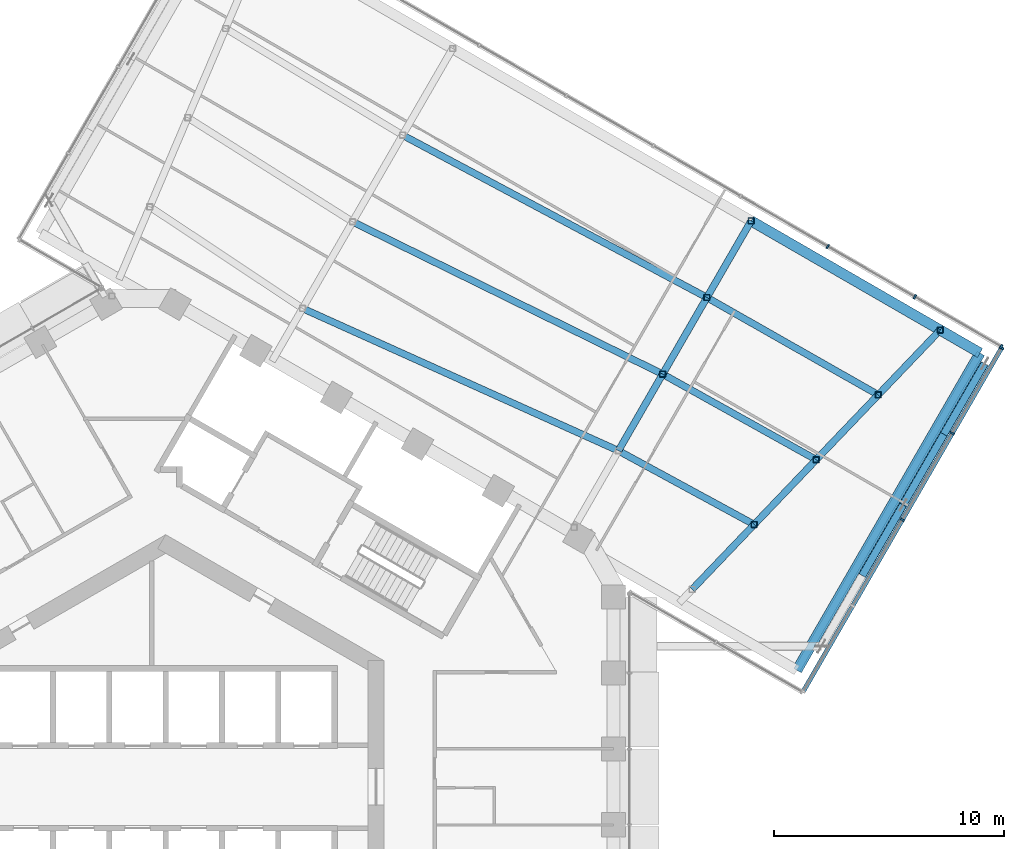
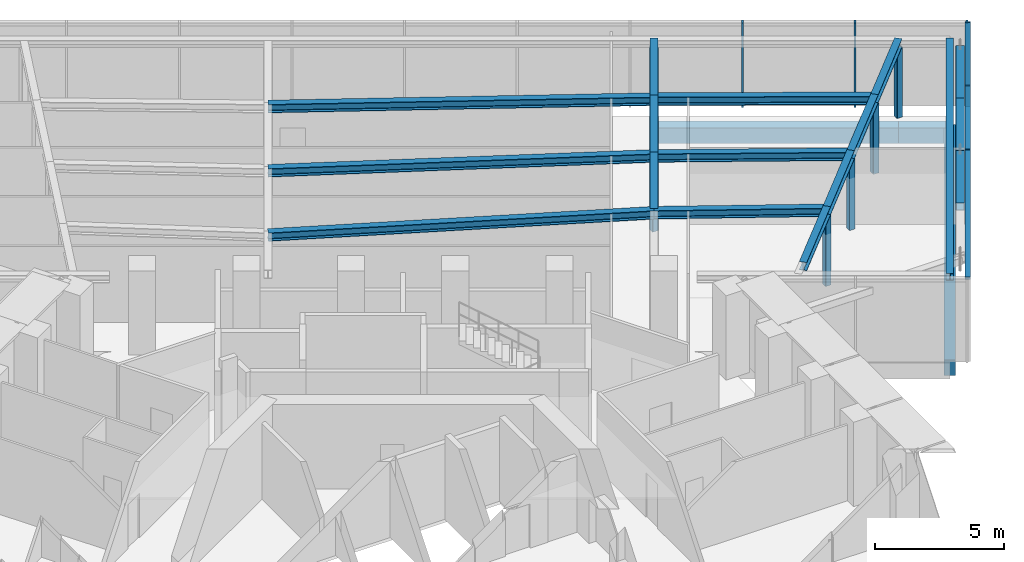
# One storey, part 7 of 28: 17 beams, 17 members, 2 elements without a shape of their own.
"""IFC4 building model written with IfcOpenShell, lengths in metres."""

import ifcopenshell
import ifcopenshell.guid

model = None  # the IFC model being written
_history = None  # IfcOwnerHistory: only IFC2X3 demands one
_inside = {}  # id of a spatial element -> (the spatial element, [elements in it])
_under = {}  # id of a project, library or spatial element -> (it, [spatial elements below it])
_declared = {}  # id of a project -> (the project, [libraries it declares])
_typed = {}  # id of a type object -> (the type object, [elements of that type])
_made_of = {}  # id of a material, layer set ... -> (it, [elements and type objects made of it])


def new_model(schema):
    """Start an empty IFC model of exactly this schema.

    Asked for "IFC4X3", IfcOpenShell would pick the latest addendum, in which some entities
    have other attributes; the version numbers below select the first issue.
    IFC2X3 requires an IfcOwnerHistory on every rooted entity: one is made here for all.
    """
    global model, _history
    if schema == "IFC4X3":
        model = ifcopenshell.file(schema_version=(4, 3, 0, 0))
    else:
        model = ifcopenshell.file(schema=schema)
    _inside.clear()
    _under.clear()
    _declared.clear()
    _typed.clear()
    _made_of.clear()
    _history = None
    if model.schema == "IFC2X3":
        org = make("IfcOrganization", Name="unknown")
        user = make(
            "IfcPersonAndOrganization",
            ThePerson=make("IfcPerson", FamilyName="unknown"),
            TheOrganization=org,
        )
        app = make(
            "IfcApplication",
            ApplicationDeveloper=org,
            Version="unknown",
            ApplicationFullName="unknown",
            ApplicationIdentifier="unknown",
        )
        _history = make(
            "IfcOwnerHistory",
            OwningUser=user,
            OwningApplication=app,
            ChangeAction="ADDED",
            CreationDate=0,
        )
    return model


def make(cls, **values):
    """One entity of the class cls with the attributes given. An attribute that is None is left unset."""
    return model.create_entity(
        cls, **{name: value for name, value in values.items() if value is not None}
    )


def rooted(cls, **values):
    """An entity with a GlobalId (a new one), such as an element, a storey or a relation."""
    return make(cls, GlobalId=ifcopenshell.guid.new(), OwnerHistory=_history, **values)


def si_unit(unit_type, name, prefix=None):
    """IfcSIUnit, for example si_unit("LENGTHUNIT", "METRE", prefix="MILLI")."""
    return make("IfcSIUnit", UnitType=unit_type, Prefix=prefix, Name=name)


def assignment(units):
    """IfcUnitAssignment: the units of a project."""
    return None if units is None else make("IfcUnitAssignment", Units=units)


def point(xyz):
    """IfcCartesianPoint."""
    return None if xyz is None else make("IfcCartesianPoint", Coordinates=xyz)


def direction(xyz):
    """IfcDirection."""
    return None if xyz is None else make("IfcDirection", DirectionRatios=xyz)


def frame(location, z_axis=None, x_axis=None):
    """IfcAxis2Placement3D, a coordinate frame: its origin and axes. An axis left out is left unset."""
    return make(
        "IfcAxis2Placement3D",
        Location=point(location),
        Axis=direction(z_axis),
        RefDirection=direction(x_axis),
    )


def frame_2d(location, x_axis=None):
    """IfcAxis2Placement2D, a coordinate frame in the plane: its origin and x axis."""
    return make(
        "IfcAxis2Placement2D", Location=point(location), RefDirection=direction(x_axis)
    )


def origin():
    """The frame at (0, 0, 0) with its axes left unset."""
    return frame((0.0, 0.0, 0.0))


def origin_2d():
    """The frame at (0, 0) in the plane with its x axis left unset."""
    return frame_2d((0.0, 0.0))


def place(relative_to, where):
    """IfcLocalPlacement: puts the frame where relative to a parent placement (None: the world)."""
    return make(
        "IfcLocalPlacement", PlacementRelTo=relative_to, RelativePlacement=where
    )


def context(
    kind, dimensions, precision=None, world=None, true_north=None, identifier=None
):
    """IfcGeometricRepresentationContext, for example the 3D "Model" context."""
    return make(
        "IfcGeometricRepresentationContext",
        ContextIdentifier=identifier,
        ContextType=kind,
        CoordinateSpaceDimension=dimensions,
        Precision=precision,
        WorldCoordinateSystem=world,
        TrueNorth=true_north,
    )


def subcontext(parent, identifier, kind, view, scale=None):
    """IfcGeometricRepresentationSubContext, for example "Body" below "Model"."""
    return make(
        "IfcGeometricRepresentationSubContext",
        ContextIdentifier=identifier,
        ContextType=kind,
        ParentContext=parent,
        TargetScale=scale,
        TargetView=view,
    )


def project(units=None, contexts=None):
    """IfcProject with its units and contexts."""
    return rooted(
        "IfcProject",
        Name="project",
        RepresentationContexts=contexts,
        UnitsInContext=assignment(units),
    )


def spatial(cls, under=None, at=None, **own):
    """A site, building, storey or space (cls), placed at a placement, below another one or the project."""
    s = rooted(cls, ObjectPlacement=at, **own)
    if under is not None:
        _under.setdefault(under.id(), (under, []))[1].append(s)
    return s


def profile(cls, at=None, kind="AREA", **sizes):
    """A parametric profile (cls). Its sizes go by their IFC names, for example OverallWidth=200.0."""
    return make(cls, ProfileType=kind, Position=at, **sizes)


def rectangle(**sizes):
    """IfcRectangleProfileDef."""
    return profile("IfcRectangleProfileDef", **sizes)


def hollow_rectangle(**sizes):
    """IfcRectangleHollowProfileDef."""
    return profile("IfcRectangleHollowProfileDef", **sizes)


def i_section(**sizes):
    """IfcIShapeProfileDef."""
    return profile("IfcIShapeProfileDef", **sizes)


def extrude(swept, where, along, depth):
    """IfcExtrudedAreaSolid: the profile swept, set in the frame where, extruded along a direction by depth."""
    return make(
        "IfcExtrudedAreaSolid",
        SweptArea=swept,
        Position=where,
        ExtrudedDirection=direction(along),
        Depth=depth,
    )


def shape(context_of_items, identifier, shape_type, items):
    """IfcShapeRepresentation: the items that make up one representation, for example the "Body"."""
    return make(
        "IfcShapeRepresentation",
        ContextOfItems=context_of_items,
        RepresentationIdentifier=identifier,
        RepresentationType=shape_type,
        Items=items,
    )


def material(Name=None, Category=None):
    """IfcMaterial."""
    return make("IfcMaterial", Name=Name, Category=Category)


def layer(
    of_material, thickness, ventilated=None, Name=None, Category=None, Priority=None
):
    """IfcMaterialLayer: one layer of a wall or slab, of a material (None: an air gap)."""
    return make(
        "IfcMaterialLayer",
        Material=of_material,
        LayerThickness=thickness,
        IsVentilated=ventilated,
        Name=Name,
        Category=Category,
        Priority=Priority,
    )


def layer_set(layers, Name=None):
    """IfcMaterialLayerSet."""
    return make("IfcMaterialLayerSet", MaterialLayers=layers, LayerSetName=Name)


def material_profile(
    of_material, cross_section, Name=None, Category=None, Priority=None
):
    """IfcMaterialProfile: a cross section and its material."""
    return make(
        "IfcMaterialProfile",
        Name=Name,
        Material=of_material,
        Profile=cross_section,
        Priority=Priority,
        Category=Category,
    )


def profile_set(profiles, Name=None, composite=None):
    """IfcMaterialProfileSet."""
    return make(
        "IfcMaterialProfileSet",
        Name=Name,
        MaterialProfiles=profiles,
        CompositeProfile=composite,
    )


def made_of(thing, what):
    """Note that an element or type object is made of a material, layer set ...; save() writes the relation."""
    if what is not None:
        _made_of.setdefault(what.id(), (what, []))[1].append(thing)
    return thing


def type_object(cls, material=None, **own):
    """A type object (cls), such as IfcWallType, which elements share."""
    return made_of(rooted(cls, **own), material)


def element(
    cls,
    number,
    at=None,
    inside=None,
    cuts=None,
    type_object=None,
    material=None,
    context=None,
    identifier="Body",
    shape_type=None,
    held_by="IfcProductDefinitionShape",
    body=None,
    shapes=None,
    **own,
):
    """One element of the class cls, such as IfcWall. Its Tag is "e" and its number.

    at: its placement. inside: the storey or other place that contains it. cuts: it is an
    opening in that element (IfcRelVoidsElement). A single representation is given by context,
    identifier, shape_type and body (its items); several are given by shapes. held_by: the class
    of the entity that holds the representations. save() writes the other relations.
    """
    e = rooted(cls, Tag="e%d" % number, ObjectPlacement=at, **own)
    if body is not None:
        shapes = [shape(context, identifier, shape_type, body)]
    if shapes is not None:
        e.Representation = make(held_by, Representations=shapes)
    if inside is not None:
        _inside.setdefault(inside.id(), (inside, []))[1].append(e)
    if cuts is not None:
        rooted(
            "IfcRelVoidsElement", RelatingBuildingElement=cuts, RelatedOpeningElement=e
        )
    if type_object is not None:
        _typed.setdefault(type_object.id(), (type_object, []))[1].append(e)
    return made_of(e, material)


def aggregate(whole, parts):
    """IfcRelAggregates: a whole, such as a stair, and the parts it consists of."""
    return rooted("IfcRelAggregates", RelatingObject=whole, RelatedObjects=parts)


def save(model, path):
    """Write the relations noted so far, then the file.

    IfcRelAggregates (storeys below a building ...), IfcRelContainedInSpatialStructure (elements
    in a storey), IfcRelDefinesByType, IfcRelAssociatesMaterial and IfcRelDeclares: one each for
    every whole, place, type object, material and project.
    """
    for whole, parts in _under.values():
        aggregate(whole, parts)
    for where, things in _inside.values():
        rooted(
            "IfcRelContainedInSpatialStructure",
            RelatedElements=things,
            RelatingStructure=where,
        )
    for kind, things in _typed.values():
        rooted("IfcRelDefinesByType", RelatedObjects=things, RelatingType=kind)
    for what, things in _made_of.values():
        rooted("IfcRelAssociatesMaterial", RelatedObjects=things, RelatingMaterial=what)
    for by, libraries in _declared.values():
        rooted("IfcRelDeclares", RelatingContext=by, RelatedDefinitions=libraries)
    model.write(path)


model = new_model("IFC4")

# Units and contexts
model_context = context("Model", 3, precision=1e-05, world=origin(), true_north=direction((0.0, 1.0)))
body_context = subcontext(model_context, "Body", "Model", "MODEL_VIEW")
ifc_project = project(units=[si_unit("LENGTHUNIT", "METRE"), si_unit("AREAUNIT", "SQUARE_METRE"), si_unit("VOLUMEUNIT", "CUBIC_METRE"), si_unit("PLANEANGLEUNIT", "RADIAN"), si_unit("MASSUNIT", "GRAM", prefix="KILO")], contexts=[model_context])

# Site, building, storey
site_placement = place(None, origin())
site = spatial("IfcSite", under=ifc_project, at=site_placement, CompositionType="ELEMENT")
building_placement = place(site_placement, origin())
building = spatial("IfcBuilding", under=site, at=building_placement, Name="Ayvan Gate Tower", CompositionType="ELEMENT")
storey_placement = place(building_placement, frame((0.0, 0.0, 143.89990234375)))
storey = spatial("IfcBuildingStorey", under=building, at=storey_placement, Name="L38", CompositionType="ELEMENT", Elevation=143.89990234375)

# Beams
ifc_material_1 = material(Name="Concrete C40/50", Category="concrete")
ifc_material_profile_1 = material_profile(ifc_material_1, rectangle(XDim=0.449951171875, YDim=0.75, at=origin_2d()), Name="RC 450x750")
ifc_profile_set_1 = profile_set([ifc_material_profile_1], Name="Concrete C40/50")
beam_type_1 = type_object("IfcBeamType", Name="Sky bar edge beam RC 450x750 C40/50", PredefinedType="BEAM", material=ifc_profile_set_1)
beam_1_placement = place(storey_placement, frame((25.475830078125, 24.625244140625, -0.77490234375), z_axis=(0.866020389056, -0.500008685663, 0.0), x_axis=(0.500008685663, 0.866020389056, 0.0)))
element("IfcBeam", 1, at=beam_1_placement, inside=storey, type_object=beam_type_1, Name="EB-B3-L38-6", PredefinedType="BEAM", context=body_context, shape_type="SweptSolid", body=[
    extrude(rectangle(XDim=0.449951171875, YDim=0.75, at=origin_2d()), origin(), (0.0, 0.0, 1.0), 9.499755859375),
])
beam_2_placement = place(storey_placement, frame((33.702880859375, 19.875244140625, -0.77490234375), z_axis=(0.866041268327, -0.499972520799, 0.0), x_axis=(0.499972520799, 0.866041268327, 0.0)))
element("IfcBeam", 2, at=beam_2_placement, inside=storey, type_object=beam_type_1, Name="EB-B3-L38-7", PredefinedType="BEAM", context=body_context, shape_type="SweptSolid", body=[
    extrude(rectangle(XDim=0.449951171875, YDim=0.75, at=origin_2d()), origin(), (0.0, 0.0, 1.0), 2.0),
])
beam_3_placement = place(storey_placement, frame((35.43505859375, 18.875244140625, -0.77490234375), z_axis=(-0.500005296564, -0.86602234579, 0.0), x_axis=(0.86602234579, -0.500005296564, 0.0)))
element("IfcBeam", 3, at=beam_3_placement, inside=storey, type_object=beam_type_1, Name="EB-B3-L38-8", PredefinedType="BEAM", context=body_context, shape_type="SweptSolid", body=[
    extrude(rectangle(XDim=0.449951171875, YDim=0.75, at=origin_2d()), origin(), (0.0, 0.0, 1.0), 15.939697265625),
])
ifc_material_2 = material(Name="Steel S460ML", Category="steel")
ifc_material_profile_2 = material_profile(ifc_material_2, i_section(OverallWidth=0.300048828125, OverallDepth=0.39990234375, WebThickness=0.013427734375, FlangeThickness=0.02392578125, FilletRadius=0.027099609375, at=origin_2d()), Name="HE 400 B")
ifc_profile_set_2 = profile_set([ifc_material_profile_2], Name="Steel S460ML")
beam_type_2 = type_object("IfcBeamType", Name="Sky bar roof beam B3 HE 400 B", PredefinedType="BEAM", material=ifc_profile_set_2)
beam_4_placement = place(storey_placement, frame((22.908935546875, 8.59033203125, 3.5), z_axis=(0.691235425149, 0.722629633366, 0.0), x_axis=(-0.722629633366, 0.691235425149, 0.0)))
element("IfcBeam", 4, at=beam_4_placement, inside=storey, type_object=beam_type_2, Name="RB-B3-SBT3-1-2", PredefinedType="BEAM", context=body_context, shape_type="SweptSolid", body=[
    extrude(i_section(OverallWidth=0.300048828125, OverallDepth=0.39990234375, WebThickness=0.013427734375, FlangeThickness=0.02392578125, FilletRadius=0.027099609375, at=origin_2d()), origin(), (0.0, 0.0, 1.0), 3.90380859375),
])
for number, where, z_axis, x_axis, name in (
    (5, (25.607421875, 11.411376953125, 3.5), (0.691204187602, 0.722659512524, 0.0), (-0.722659512524, 0.691204187602, 0.0), "RB-B3-SBT3-1-3"),
    (6, (28.305908203125, 14.232666015625, 3.5), (0.691204187602, 0.722659512524, 0.0), (-0.722659512524, 0.691204187602, 0.0), "RB-B3-SBT3-1-4"),
    (7, (31.00439453125, 17.053955078125, 3.5), (0.691204187602, 0.722659512524, 0.0), (-0.722659512524, 0.691204187602, 0.0), "RB-B3-SBT3-1-5"),
):
    element("IfcBeam", number, at=place(storey_placement, frame(where, z_axis=z_axis, x_axis=x_axis)), inside=storey, type_object=beam_type_2, Name=name, PredefinedType="BEAM", context=body_context, shape_type="SweptSolid", body=[
        extrude(i_section(OverallWidth=0.300048828125, OverallDepth=0.39990234375, WebThickness=0.013427734375, FlangeThickness=0.02392578125, FilletRadius=0.027099609375, at=origin_2d()), origin(), (0.0, 0.0, 1.0), 3.904052734375),
    ])
beam_5_placement = place(storey_placement, frame((19.700439453125, 14.6220703125, 3.5), z_axis=(0.499978600481, 0.86603775845, 0.0), x_axis=(-0.86603775845, 0.499978600481, 0.0)))
element("IfcBeam", 8, at=beam_5_placement, inside=storey, type_object=beam_type_2, Name="RB-B3-SBT3-2-2", PredefinedType="BEAM", context=body_context, shape_type="SweptSolid", body=[
    extrude(i_section(OverallWidth=0.300048828125, OverallDepth=0.39990234375, WebThickness=0.013427734375, FlangeThickness=0.02392578125, FilletRadius=0.027099609375, at=origin_2d()), origin(), (0.0, 0.0, 1.0), 3.850341796875),
])
beam_6_placement = place(storey_placement, frame((21.62548828125, 17.95654296875, 3.5), z_axis=(0.500006057782, 0.866021906294, 0.0), x_axis=(-0.866021906294, 0.500006057782, 0.0)))
element("IfcBeam", 9, at=beam_6_placement, inside=storey, type_object=beam_type_2, Name="RB-B3-SBT3-2-3", PredefinedType="BEAM", context=body_context, shape_type="SweptSolid", body=[
    extrude(i_section(OverallWidth=0.300048828125, OverallDepth=0.39990234375, WebThickness=0.013427734375, FlangeThickness=0.02392578125, FilletRadius=0.027099609375, at=origin_2d()), origin(), (0.0, 0.0, 1.0), 3.85009765625),
])
beam_7_placement = place(storey_placement, frame((23.550537109375, 21.290771484375, 3.5), z_axis=(0.500026156197, 0.86601030197, 0.0), x_axis=(-0.86601030197, 0.500026156197, 0.0)))
element("IfcBeam", 10, at=beam_7_placement, inside=storey, type_object=beam_type_2, Name="RB-B3-SBT3-2-4", PredefinedType="BEAM", context=body_context, shape_type="SweptSolid", body=[
    extrude(i_section(OverallWidth=0.300048828125, OverallDepth=0.39990234375, WebThickness=0.013427734375, FlangeThickness=0.02392578125, FilletRadius=0.027099609375, at=origin_2d()), origin(), (0.0, 0.0, 1.0), 3.850341796875),
])
beam_8_placement = place(storey_placement, frame((31.00439453125, 17.053955078125, 3.5), z_axis=(-0.869372876423, 0.494156657084, 0.0), x_axis=(-0.494156657084, -0.869372876423, 0.0)))
element("IfcBeam", 11, at=beam_8_placement, inside=storey, type_object=beam_type_2, Name="RX-B3-12-2", PredefinedType="BEAM", context=body_context, shape_type="SweptSolid", body=[
    extrude(i_section(OverallWidth=0.300048828125, OverallDepth=0.39990234375, WebThickness=0.013427734375, FlangeThickness=0.02392578125, FilletRadius=0.027099609375, at=origin_2d()), origin(), (0.0, 0.0, 1.0), 8.57373046875),
])
beam_9_placement = place(storey_placement, frame((28.305908203125, 14.232666015625, 3.5), z_axis=(-0.873460737323, 0.486894588546, 0.0), x_axis=(-0.486894588546, -0.873460737323, 0.0)))
element("IfcBeam", 12, at=beam_9_placement, inside=storey, type_object=beam_type_2, Name="RX-B3-12-3", PredefinedType="BEAM", context=body_context, shape_type="SweptSolid", body=[
    extrude(i_section(OverallWidth=0.300048828125, OverallDepth=0.39990234375, WebThickness=0.013427734375, FlangeThickness=0.02392578125, FilletRadius=0.027099609375, at=origin_2d()), origin(), (0.0, 0.0, 1.0), 7.648193359375),
])
beam_10_placement = place(storey_placement, frame((25.607421875, 11.411376953125, 3.5), z_axis=(-0.878600992944, 0.477556588477, 0.0), x_axis=(-0.477556588477, -0.878600992944, 0.0)))
element("IfcBeam", 13, at=beam_10_placement, inside=storey, type_object=beam_type_2, Name="RX-B3-12-4", PredefinedType="BEAM", context=body_context, shape_type="SweptSolid", body=[
    extrude(i_section(OverallWidth=0.300048828125, OverallDepth=0.39990234375, WebThickness=0.013427734375, FlangeThickness=0.02392578125, FilletRadius=0.027099609375, at=origin_2d()), origin(), (0.0, 0.0, 1.0), 6.72314453125),
])
beam_11_placement = place(storey_placement, frame((23.550537109375, 21.290771484375, 3.5), z_axis=(-0.88227818161, 0.470728382673, 0.0), x_axis=(-0.470728382673, -0.88227818161, 0.0)))
element("IfcBeam", 14, at=beam_11_placement, inside=storey, type_object=beam_type_2, Name="RX-B3-23-2", PredefinedType="BEAM", context=body_context, shape_type="SweptSolid", body=[
    extrude(i_section(OverallWidth=0.300048828125, OverallDepth=0.39990234375, WebThickness=0.013427734375, FlangeThickness=0.02392578125, FilletRadius=0.027099609375, at=origin_2d()), origin(), (0.0, 0.0, 1.0), 15.008544921875),
])
beam_12_placement = place(storey_placement, frame((21.62548828125, 17.95654296875, 3.5), z_axis=(-0.897520273917, 0.440973194093, 0.0), x_axis=(-0.440973194093, -0.897520273917, 0.0)))
element("IfcBeam", 15, at=beam_12_placement, inside=storey, type_object=beam_type_2, Name="RX-B3-23-3", PredefinedType="BEAM", context=body_context, shape_type="SweptSolid", body=[
    extrude(i_section(OverallWidth=0.300048828125, OverallDepth=0.39990234375, WebThickness=0.013427734375, FlangeThickness=0.02392578125, FilletRadius=0.027099609375, at=origin_2d()), origin(), (0.0, 0.0, 1.0), 15.033447265625),
])
beam_13_placement = place(storey_placement, frame((19.700439453125, 14.6220703125, 3.5), z_axis=(-0.911688949233, 0.410881077499, 0.0), x_axis=(-0.410881077499, -0.911688949233, 0.0)))
element("IfcBeam", 16, at=beam_13_placement, inside=storey, type_object=beam_type_2, Name="RX-B3-23-4", PredefinedType="BEAM", context=body_context, shape_type="SweptSolid", body=[
    extrude(i_section(OverallWidth=0.300048828125, OverallDepth=0.39990234375, WebThickness=0.013427734375, FlangeThickness=0.02392578125, FilletRadius=0.027099609375, at=origin_2d()), origin(), (0.0, 0.0, 1.0), 15.07568359375),
])
ifc_material_profile_3 = material_profile(ifc_material_2, i_section(OverallWidth=0.300048828125, OverallDepth=0.340087890625, WebThickness=0.011962890625, FlangeThickness=0.021484375, FilletRadius=0.027099609375, at=origin_2d()), Name="HE 340 B")
ifc_profile_set_3 = profile_set([ifc_material_profile_3], Name="Steel S460ML")
beam_type_3 = type_object("IfcBeamType", Name="Sky bar roof edge beam B3 HE 340 B", PredefinedType="BEAM", material=ifc_profile_set_3)
beam_14_placement = place(storey_placement, frame((35.43505859375, 18.875244140625, 3.530029296875), z_axis=(-0.500005296564, -0.86602234579, 0.0), x_axis=(0.86602234579, -0.500005296564, 0.0)))
element("IfcBeam", 17, at=beam_14_placement, inside=storey, type_object=beam_type_3, Name="RE-B3-1-4", PredefinedType="BEAM", context=body_context, shape_type="SweptSolid", body=[
    extrude(i_section(OverallWidth=0.300048828125, OverallDepth=0.340087890625, WebThickness=0.011962890625, FlangeThickness=0.021484375, FilletRadius=0.027099609375, at=origin_2d()), origin(), (0.0, 0.0, 1.0), 15.939697265625),
])

# Members
ifc_material_3 = material(Name="Steel S460NH", Category="steel")
ifc_material_profile_4 = material_profile(ifc_material_3, hollow_rectangle(XDim=0.260009765625, YDim=0.260009765625, WallThickness=0.012451171875, InnerFilletRadius=0.012451171875, OuterFilletRadius=0.018798828125, at=origin_2d()), Name="RHS 260x260x12.5")
ifc_profile_set_4 = profile_set([ifc_material_profile_4], Name="Steel S460NH")
member_type_1 = type_object("IfcMemberType", Name="Sky bar roof post B3 RHS 260x260x12.5", PredefinedType="POST", material=ifc_profile_set_4)
for number, where, z_axis, x_axis, name in (
    (18, (25.607421875, 11.411376953125, 0.0), (0.0, 0.0, 1.0), (1.0, 0.0, 0.0), "RP-B3-SBT3-1-2"),
    (19, (28.305908203125, 14.232666015625, 0.0), (0.0, 0.0, 1.0), (1.0, 0.0, 0.0), "RP-B3-SBT3-1-3"),
    (20, (31.00439453125, 17.053955078125, 0.0), (0.0, 0.0, 1.0), (1.0, 0.0, 0.0), "RP-B3-SBT3-1-4"),
    (21, (33.702880859375, 19.875244140625, 0.0), (0.0, 0.0, 1.0), (1.0, 0.0, 0.0), "RP-B3-SBT3-1-5"),
    (22, (21.62548828125, 17.95654296875, 0.0), (0.0, 0.0, 1.0), (1.0, 0.0, 0.0), "RP-B3-SBT3-2-3"),
    (23, (23.550537109375, 21.290771484375, 0.0), (0.0, 0.0, 1.0), (1.0, 0.0, 0.0), "RP-B3-SBT3-2-4"),
    (24, (25.475830078125, 24.625244140625, 0.0), (0.0, 0.0, 1.0), (1.0, 0.0, 0.0), "RP-B3-SBT3-2-5"),
):
    element("IfcMember", number, at=place(storey_placement, frame(where, z_axis=z_axis, x_axis=x_axis)), inside=storey, type_object=member_type_1, Name=name, PredefinedType="POST", context=body_context, shape_type="SweptSolid", body=[
        extrude(hollow_rectangle(XDim=0.260009765625, YDim=0.260009765625, WallThickness=0.012451171875, InnerFilletRadius=0.012451171875, OuterFilletRadius=0.018798828125, at=origin_2d()), origin(), (0.0, 0.0, 1.0), 3.300048828125),
    ])
ifc_material_profile_5 = material_profile(ifc_material_3, hollow_rectangle(XDim=0.35009765625, YDim=0.35009765625, WallThickness=0.01611328125, InnerFilletRadius=0.01611328125, OuterFilletRadius=0.02392578125, at=origin_2d()), Name="RHS 350x350x16")
ifc_profile_set_5 = profile_set([ifc_material_profile_5], Name="Steel S460NH")
member_type_2 = type_object("IfcMemberType", Name="Sky bar truss brace B3 RHS 350x350x16", PredefinedType="BRACE", material=ifc_profile_set_5)
for number, where, z_axis, x_axis, name in (
    (25, (30.310791015625, 9.189697265625, 3.375), (0.499970499736, 0.8660424351, 0.0), (-0.8660424351, 0.499970499736, 0.0), "SBX3-B-TC-3"),
    (26, (32.085693359375, 12.26416015625, 3.375), (0.500022077904, 0.866012656725, 0.0), (-0.866012656725, 0.500022077904, 0.0), "SBX3-B-TC-4"),
):
    element("IfcMember", number, at=place(storey_placement, frame(where, z_axis=z_axis, x_axis=x_axis)), inside=storey, type_object=member_type_2, Name=name, PredefinedType="CHORD", context=body_context, shape_type="SweptSolid", body=[
        extrude(hollow_rectangle(XDim=0.35009765625, YDim=0.35009765625, WallThickness=0.01611328125, InnerFilletRadius=0.01611328125, OuterFilletRadius=0.02392578125, at=origin_2d()), origin(), (0.0, 0.0, 1.0), 3.550048828125),
    ])
member_1_placement = place(storey_placement, frame((33.86083984375, 15.338623046875, 3.375), z_axis=(0.500000279077, 0.866025242659, 0.0), x_axis=(-0.866025242659, 0.500000279077, 0.0)))
element("IfcMember", 27, at=member_1_placement, inside=storey, type_object=member_type_2, Name="SBX3-B-TC-5", PredefinedType="CHORD", context=body_context, shape_type="SweptSolid", body=[
    extrude(hollow_rectangle(XDim=0.35009765625, YDim=0.35009765625, WallThickness=0.01611328125, InnerFilletRadius=0.01611328125, OuterFilletRadius=0.02392578125, at=origin_2d()), origin(), (0.0, 0.0, 1.0), 3.5498046875),
])

# Curtain wall, members
ifc_material_4 = material(Name="Bronze anodised aluminium", Category="aluminium")
ifc_layer = layer(ifc_material_4, 0.199951171875)
ifc_layer_set = layer_set([ifc_layer], Name="Bronze anodised aluminium")
curtain_wall_type = type_object("IfcCurtainWallType", Name="Stick curtain wall CW-4", PredefinedType="NOTDEFINED", material=ifc_layer_set)
curtain_wall_1_placement = place(storey_placement, origin())
curtain_wall_1 = element("IfcCurtainWall", 28, at=curtain_wall_1_placement, inside=storey, type_object=curtain_wall_type, Name="Stick curtain wall CW-4 L38", PredefinedType="NOTDEFINED")
ifc_material_profile_6 = material_profile(ifc_material_4, rectangle(XDim=0.199951171875, YDim=0.080078125, at=origin_2d()), Name="Stick curtain wall CW-4 mullion 200 x 80")
ifc_profile_set_6 = profile_set([ifc_material_profile_6], Name="Bronze anodised aluminium")
member_type_3 = type_object("IfcMemberType", Name="Stick curtain wall CW-4 mullion 200 x 80", PredefinedType="MULLION", material=ifc_profile_set_6)
member_2_placement = place(storey_placement, frame((32.056396484375, 11.623291015625, 0.0), z_axis=(0.0, 0.0, 1.0), x_axis=(0.866025403784, -0.5, 0.0)))
member_2 = element("IfcMember", 29, at=member_2_placement, type_object=member_type_3, Name="CW-4 mullion 3", PredefinedType="MULLION", context=body_context, shape_type="SweptSolid", body=[
    extrude(rectangle(XDim=0.199951171875, YDim=0.080078125, at=origin_2d()), origin(), (0.0, 0.0, 1.0), 4.0),
])
member_3_placement = place(storey_placement, frame((34.223876953125, 15.377197265625, 0.0), z_axis=(0.0, 0.0, 1.0), x_axis=(0.866025403784, -0.5, 0.0)))
member_3 = element("IfcMember", 30, at=member_3_placement, type_object=member_type_3, Name="CW-4 mullion 4", PredefinedType="MULLION", context=body_context, shape_type="SweptSolid", body=[
    extrude(rectangle(XDim=0.199951171875, YDim=0.080078125, at=origin_2d()), origin(), (0.0, 0.0, 1.0), 4.0),
])
member_4_placement = place(storey_placement, frame((36.371337890625, 19.096923828125, 0.0), z_axis=(0.0, 0.0, 1.0), x_axis=(0.866025403784, -0.5, 0.0)))
member_4 = element("IfcMember", 31, at=member_4_placement, type_object=member_type_3, Name="CW-4 mullion 5", PredefinedType="MULLION", context=body_context, shape_type="SweptSolid", body=[
    extrude(rectangle(XDim=0.199951171875, YDim=0.080078125, at=origin_2d()), origin(), (0.0, 0.0, 1.0), 4.0),
])

curtain_wall_2_placement = place(storey_placement, origin())
curtain_wall_2 = element("IfcCurtainWall", 32, at=curtain_wall_2_placement, inside=storey, type_object=curtain_wall_type, Name="Stick curtain wall CW-4 L38", PredefinedType="NOTDEFINED")
member_5_placement = place(storey_placement, frame((36.356689453125, 19.1513671875, 0.0), z_axis=(0.0, 0.0, 1.0), x_axis=(0.5, 0.866025403784, 0.0)))
member_5 = element("IfcMember", 33, at=member_5_placement, type_object=member_type_3, Name="CW-4 mullion 1", PredefinedType="MULLION", context=body_context, shape_type="SweptSolid", body=[
    extrude(rectangle(XDim=0.199951171875, YDim=0.080078125, at=origin_2d()), origin(), (0.0, 0.0, 1.0), 4.0),
])
member_6_placement = place(storey_placement, frame((32.599853515625, 21.3203125, 0.0), z_axis=(0.0, 0.0, 1.0), x_axis=(0.5, 0.866025403784, 0.0)))
member_6 = element("IfcMember", 34, at=member_6_placement, type_object=member_type_3, Name="CW-4 mullion 2", PredefinedType="MULLION", context=body_context, shape_type="SweptSolid", body=[
    extrude(rectangle(XDim=0.199951171875, YDim=0.080078125, at=origin_2d()), origin(), (0.0, 0.0, 1.0), 4.0),
])
member_7_placement = place(storey_placement, frame((28.80859375, 23.50927734375, 0.0), z_axis=(0.0, 0.0, 1.0), x_axis=(0.5, 0.866025403784, 0.0)))
member_7 = element("IfcMember", 35, at=member_7_placement, type_object=member_type_3, Name="CW-4 mullion 3", PredefinedType="MULLION", context=body_context, shape_type="SweptSolid", body=[
    extrude(rectangle(XDim=0.199951171875, YDim=0.080078125, at=origin_2d()), origin(), (0.0, 0.0, 1.0), 4.0),
])
aggregate(curtain_wall_2, [member_5, member_6, member_7])

# Member
ifc_material_profile_7 = material_profile(ifc_material_4, rectangle(XDim=0.199951171875, YDim=0.139892578125, at=origin_2d()), Name="Stick curtain wall CW-4 transom 200 x 140")
ifc_profile_set_7 = profile_set([ifc_material_profile_7], Name="Bronze anodised aluminium")
member_type_4 = type_object("IfcMemberType", Name="Stick curtain wall CW-4 transom 200 x 140", PredefinedType="USERDEFINED", material=ifc_profile_set_7)
member_8_placement = place(storey_placement, frame((27.741455078125, 4.1494140625, 3.93017578125), z_axis=(0.499997133185, 0.866027058935, 0.0), x_axis=(-0.866027058935, 0.499997133185, 0.0)))
member_8 = element("IfcMember", 36, at=member_8_placement, type_object=member_type_4, Name="CW-4 transom 1", ObjectType="TRANSOM", PredefinedType="USERDEFINED", context=body_context, shape_type="SweptSolid", body=[
    extrude(rectangle(XDim=0.199951171875, YDim=0.139892578125, at=origin_2d()), origin(), (0.0, 0.0, 1.0), 17.259765625),
])

aggregate(curtain_wall_1, [member_2, member_3, member_4, member_8])

save(model, "model.ifc")
